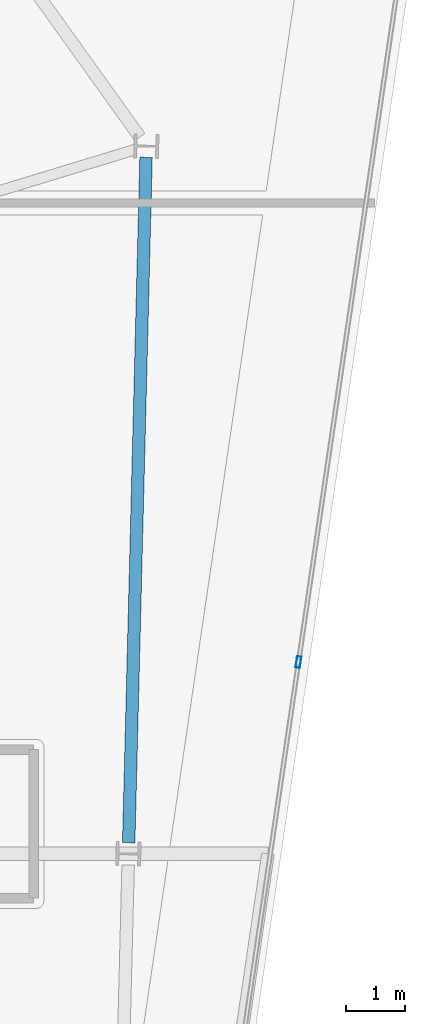
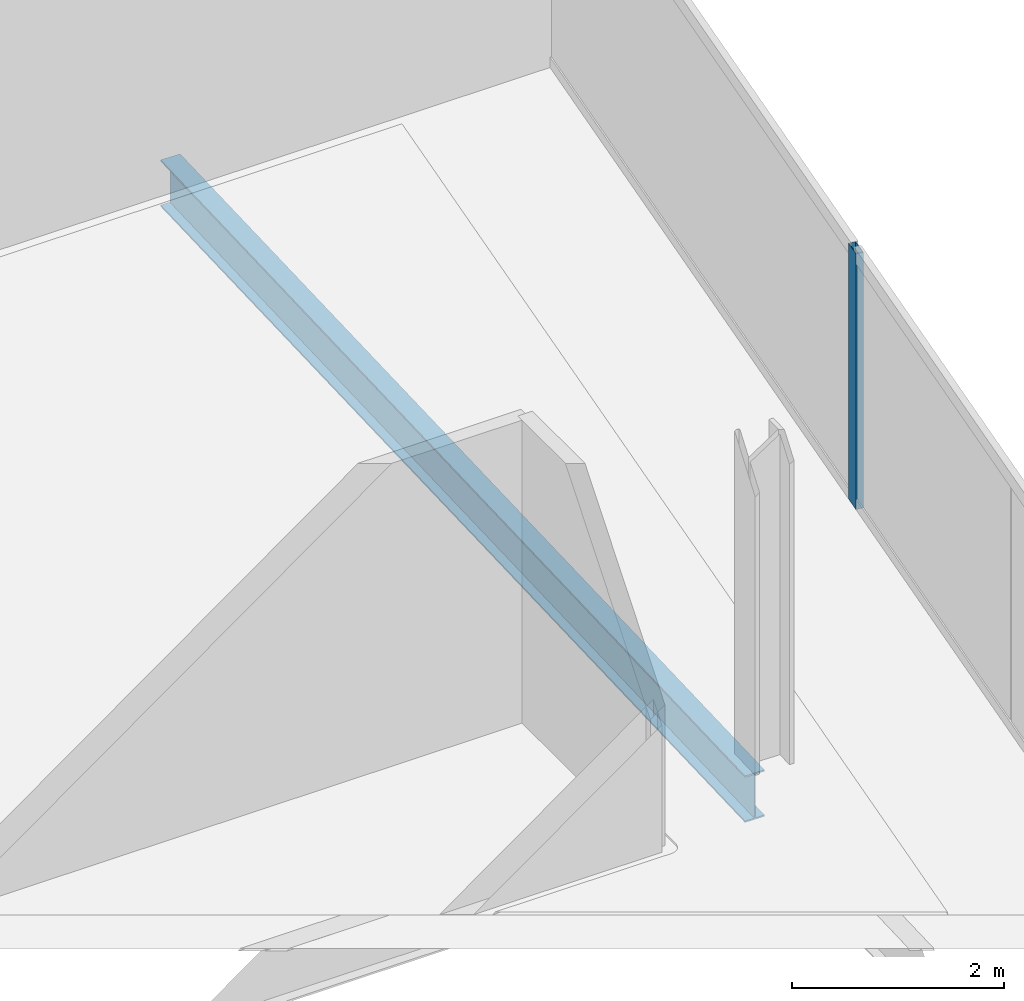
# One storey, part 10 of 22: 1 beam, 1 member, 1 element without a shape of its own.
"""IFC4 building model written with IfcOpenShell, lengths in metres."""

from ifc_helpers import new_model, si_unit, direction, frame, origin, origin_2d, place, context, subcontext, project, spatial, hollow_rectangle, i_section, extrude, material, material_profile, profile_set, type_object, element, aggregate, save


model = new_model("IFC4")

# Units and contexts
model_context = context("Model", 3, precision=1e-05, world=origin(), true_north=direction((0.0, 1.0)))
body_context = subcontext(model_context, "Body", "Model", "MODEL_VIEW")
ifc_project = project(units=[si_unit("LENGTHUNIT", "METRE"), si_unit("AREAUNIT", "SQUARE_METRE"), si_unit("VOLUMEUNIT", "CUBIC_METRE"), si_unit("PLANEANGLEUNIT", "RADIAN"), si_unit("MASSUNIT", "GRAM", prefix="KILO")], contexts=[model_context])

# Site, building, storey
site_placement = place(None, origin())
site = spatial("IfcSite", under=ifc_project, at=site_placement, CompositionType="ELEMENT")
building_placement = place(site_placement, origin())
building = spatial("IfcBuilding", under=site, at=building_placement, Name="Haldenkirk Collegiate Tower", CompositionType="ELEMENT")
storey_placement = place(building_placement, frame((0.0, 0.0, 302.699951171875)))
storey = spatial("IfcBuildingStorey", under=building, at=storey_placement, Name="L76", CompositionType="ELEMENT", Elevation=302.699951171875)

# Beam
ifc_material_1 = material(Name="Steel ASTM A992 Grade 50", Category="steel")
ifc_material_profile_1 = material_profile(ifc_material_1, i_section(OverallWidth=0.2099609375, OverallDepth=0.537109375, WebThickness=0.010986328125, FlangeThickness=0.017333984375, at=origin_2d()), Name="W21X68")
ifc_profile_set_1 = profile_set([ifc_material_profile_1], Name="Steel ASTM A992 Grade 50")
beam_type = type_object("IfcBeamType", Name="BM-SPANDREL-W21X68", PredefinedType="SPANDREL", material=ifc_profile_set_1)
beam_placement = place(storey_placement, frame((55.8984375, 25.684326171875, -0.528564453125), z_axis=(0.025302458902, 0.999679841536, 0.0), x_axis=(-0.999679841536, 0.025302458902, 0.0)))
element("IfcBeam", 1, at=beam_placement, inside=storey, type_object=beam_type, Name="L76 perimeter spandrel beam 03", PredefinedType="SPANDREL", context=body_context, shape_type="SweptSolid", body=[
    extrude(i_section(OverallWidth=0.2099609375, OverallDepth=0.537109375, WebThickness=0.010986328125, FlangeThickness=0.017333984375, at=origin_2d()), origin(), (0.0, 0.0, 1.0), 11.5400390625),
])

# Curtain wall, member
ifc_material_2 = material(Name="Anodised architectural bronze aluminium", Category="aluminium")
curtain_wall_type = type_object("IfcCurtainWallType", Name="CW-SYS2-CONCAVE", PredefinedType="USERDEFINED", material=ifc_material_2)
curtain_wall_placement = place(storey_placement, origin())
curtain_wall = element("IfcCurtainWall", 2, at=curtain_wall_placement, inside=storey, type_object=curtain_wall_type, Name="L76 South concave recessed bronze-anodised curtain wall", ObjectType="UNITISED CURTAIN WALL", PredefinedType="USERDEFINED")
ifc_material_profile_2 = material_profile(ifc_material_2, hollow_rectangle(XDim=0.074951171875, YDim=0.18994140625, WallThickness=0.0048828125, at=origin_2d()), Name="CW-MUL-02")
ifc_profile_set_2 = profile_set([ifc_material_profile_2], Name="Anodised architectural bronze aluminium")
member_type = type_object("IfcMemberType", Name="CW-MUL-02", PredefinedType="MULLION", material=ifc_profile_set_2)
member_placement = place(storey_placement, frame((58.7568359375, 28.72412109375, 0.0), z_axis=(0.0, 0.0, 1.0), x_axis=(0.989399423446, -0.145219767539, 0.0)))
member = element("IfcMember", 3, at=member_placement, type_object=member_type, Name="CW-02 mullion 2", PredefinedType="MULLION", context=body_context, shape_type="SweptSolid", body=[
    extrude(hollow_rectangle(XDim=0.074951171875, YDim=0.18994140625, WallThickness=0.0048828125, at=origin_2d()), origin(), (0.0, 0.0, 1.0), 2.947998046875),
])
aggregate(curtain_wall, [member])

save(model, "model.ifc")
